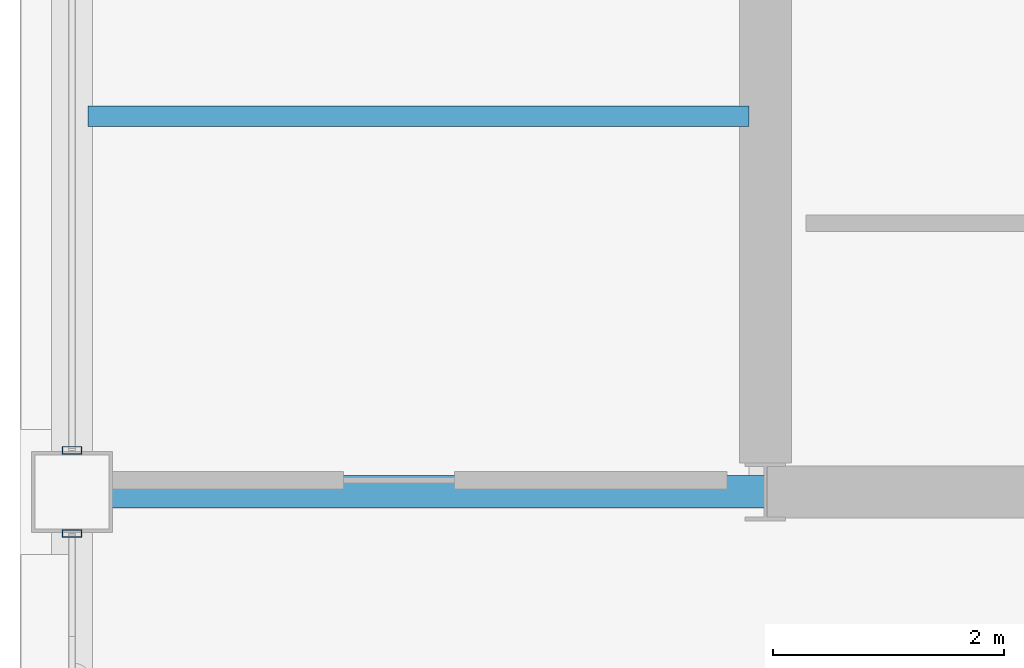
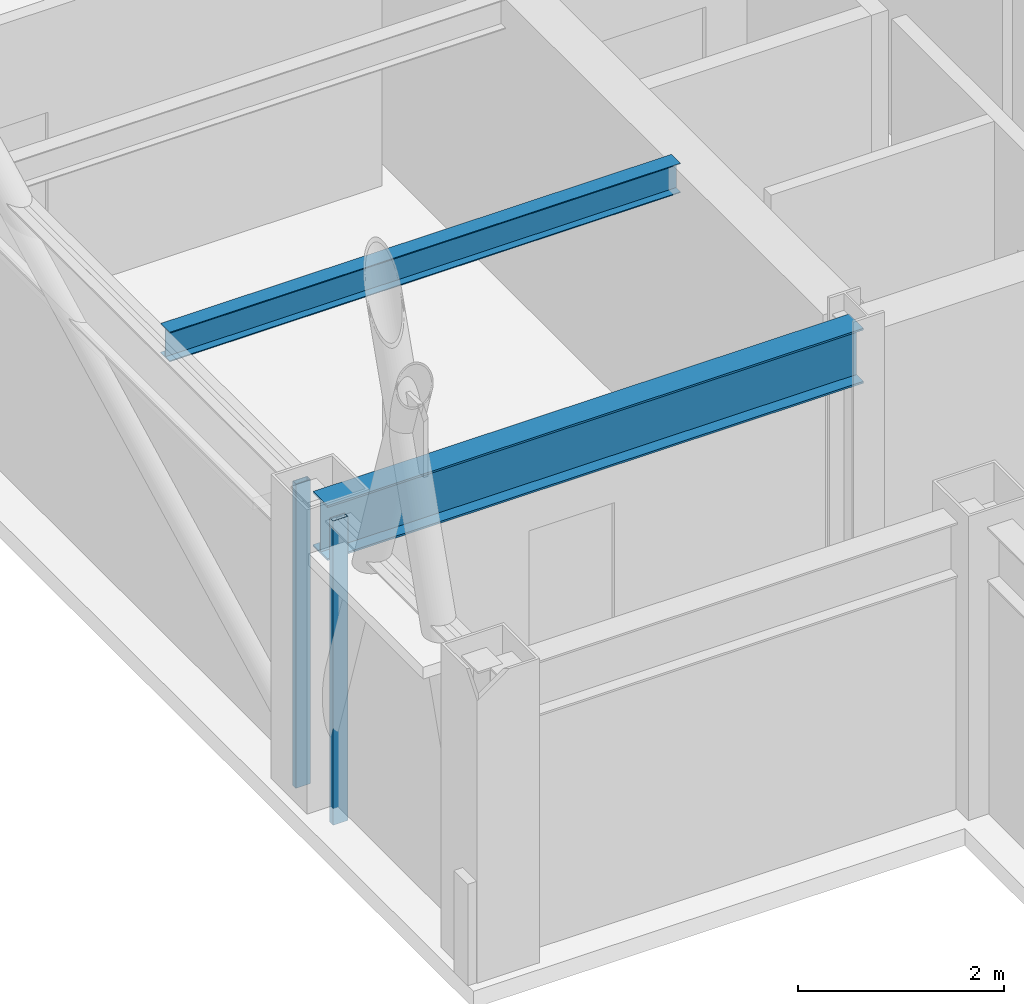
# One storey, part 6 of 33: 2 beams, 2 members, 2 elements without a shape of their own.
"""IFC4 building model written with IfcOpenShell, lengths in metres."""

from ifc_helpers import new_model, si_unit, direction, frame, origin, origin_2d, place, context, subcontext, project, spatial, hollow_rectangle, i_section, extrude, material, layer, layer_set, material_profile, profile_set, type_object, element, aggregate, save


model = new_model("IFC4")

# Units and contexts
model_context = context("Model", 3, precision=1e-05, world=origin(), true_north=direction((0.0, 1.0)))
body_context = subcontext(model_context, "Body", "Model", "MODEL_VIEW")
ifc_project = project(units=[si_unit("LENGTHUNIT", "METRE"), si_unit("AREAUNIT", "SQUARE_METRE"), si_unit("VOLUMEUNIT", "CUBIC_METRE"), si_unit("PLANEANGLEUNIT", "RADIAN"), si_unit("MASSUNIT", "GRAM", prefix="KILO")], contexts=[model_context])

# Site, building, storey
site_placement = place(None, origin())
site = spatial("IfcSite", under=ifc_project, at=site_placement, CompositionType="ELEMENT")
building_placement = place(site_placement, origin())
building = spatial("IfcBuilding", under=site, at=building_placement, Name="Brelmoor Portico Tower", CompositionType="ELEMENT")
storey_placement = place(building_placement, frame((0.0, 0.0, 194.699951171875)))
storey = spatial("IfcBuildingStorey", under=building, at=storey_placement, Name="L51", CompositionType="ELEMENT", Elevation=194.699951171875)

# Beams
ifc_material_1 = material(Name="Steel Q355B", Category="steel")
ifc_material_profile_1 = material_profile(ifc_material_1, i_section(OverallWidth=0.175048828125, OverallDepth=0.35009765625, WebThickness=0.007080078125, FlangeThickness=0.010986328125, at=origin_2d()), Name="HN 350x175x7x11")
ifc_profile_set_1 = profile_set([ifc_material_profile_1], Name="Steel Q355B")
beam_type_1 = type_object("IfcBeamType", Name="BM-JS-350", PredefinedType="JOIST", material=ifc_profile_set_1)
beam_1_placement = place(storey_placement, frame((-20.409912109375, -6.5, 3.22509765625), z_axis=(1.0, 0.0, 0.0), x_axis=(0.0, 1.0, 0.0)))
element("IfcBeam", 1, at=beam_1_placement, inside=storey, type_object=beam_type_1, Name="L51 Secondary Wing Joist JS-W05", PredefinedType="JOIST", context=body_context, shape_type="SweptSolid", body=[
    extrude(i_section(OverallWidth=0.175048828125, OverallDepth=0.35009765625, WebThickness=0.007080078125, FlangeThickness=0.010986328125, at=origin_2d()), origin(), (0.0, 0.0, 1.0), 5.719970703125),
])
ifc_material_profile_2 = material_profile(ifc_material_1, i_section(OverallWidth=0.280029296875, OverallDepth=0.64990234375, WebThickness=0.012939453125, FlangeThickness=0.02197265625, at=origin_2d()), Name="HN 650x280x13x22")
ifc_profile_set_2 = profile_set([ifc_material_profile_2], Name="Steel Q355B")
beam_type_2 = type_object("IfcBeamType", Name="BM-PG-650", PredefinedType="BEAM", material=ifc_profile_set_2)
beam_2_placement = place(storey_placement, frame((-20.550048828125, -9.75, 3.074951171875), z_axis=(1.0, 0.0, 0.0), x_axis=(0.0, 1.0, 0.0)))
element("IfcBeam", 2, at=beam_2_placement, inside=storey, type_object=beam_type_2, Name="L51 Primary Floor Girder PG-11", PredefinedType="BEAM", context=body_context, shape_type="SweptSolid", body=[
    extrude(i_section(OverallWidth=0.280029296875, OverallDepth=0.64990234375, WebThickness=0.012939453125, FlangeThickness=0.02197265625, at=origin_2d()), origin(), (0.0, 0.0, 1.0), 6.0),
])

# Curtain wall, member
ifc_material_2 = material(Name="Anodised Aluminium Alloy 6063-T6", Category="aluminium")
ifc_layer = layer(ifc_material_2, 0.179931640625)
ifc_layer_set = layer_set([ifc_layer], Name="Anodised Aluminium Alloy 6063-T6")
curtain_wall_type = type_object("IfcCurtainWallType", Name="CW-TOWER-Z3-XB", PredefinedType="NOTDEFINED", material=ifc_layer_set)
curtain_wall_1_placement = place(storey_placement, origin())
curtain_wall_1 = element("IfcCurtainWall", 3, at=curtain_wall_1_placement, inside=storey, type_object=curtain_wall_type, Name="L51 Curtain Wall CW-L51-03-1", PredefinedType="NOTDEFINED")
ifc_material_profile_3 = material_profile(ifc_material_2, hollow_rectangle(XDim=0.06494140625, YDim=0.1650390625, WallThickness=0.00390625, at=origin_2d()), Name="ALU MULLION 65x165")
ifc_profile_set_3 = profile_set([ifc_material_profile_3], Name="Anodised Aluminium Alloy 6063-T6")
member_type = type_object("IfcMemberType", Name="MB-CW-MULL-165", PredefinedType="MULLION", material=ifc_profile_set_3)
member_1_placement = place(storey_placement, frame((-20.550048828125, -10.110107421875, -0.199951171875), z_axis=(0.0, 0.0, 1.0), x_axis=(0.0, 1.0, 0.0)))
member_1 = element("IfcMember", 4, at=member_1_placement, type_object=member_type, Name="CW-L51-03-1 Mullion 01", PredefinedType="MULLION", context=body_context, shape_type="SweptSolid", body=[
    extrude(hollow_rectangle(XDim=0.06494140625, YDim=0.1650390625, WallThickness=0.00390625, at=origin_2d()), origin(), (0.0, 0.0, 1.0), 3.60009765625),
])
aggregate(curtain_wall_1, [member_1])

curtain_wall_2_placement = place(storey_placement, origin())
curtain_wall_2 = element("IfcCurtainWall", 5, at=curtain_wall_2_placement, inside=storey, type_object=curtain_wall_type, Name="L51 Curtain Wall CW-L51-03-2", PredefinedType="NOTDEFINED")
member_2_placement = place(storey_placement, frame((-20.550048828125, -9.389892578125, -0.199951171875), z_axis=(0.0, 0.0, 1.0), x_axis=(0.0, 1.0, 0.0)))
member_2 = element("IfcMember", 6, at=member_2_placement, type_object=member_type, Name="CW-L51-03-2 Mullion 00", PredefinedType="MULLION", context=body_context, shape_type="SweptSolid", body=[
    extrude(hollow_rectangle(XDim=0.06494140625, YDim=0.1650390625, WallThickness=0.00390625, at=origin_2d()), origin(), (0.0, 0.0, 1.0), 3.60009765625),
])
aggregate(curtain_wall_2, [member_2])

save(model, "model.ifc")
